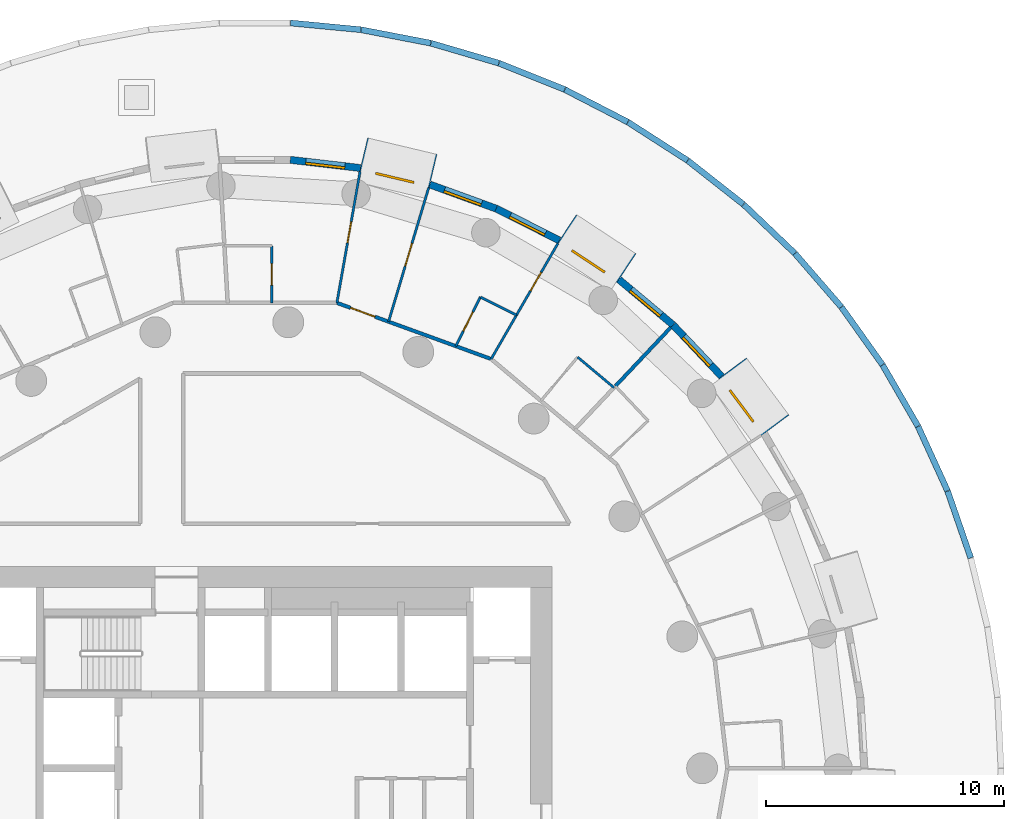
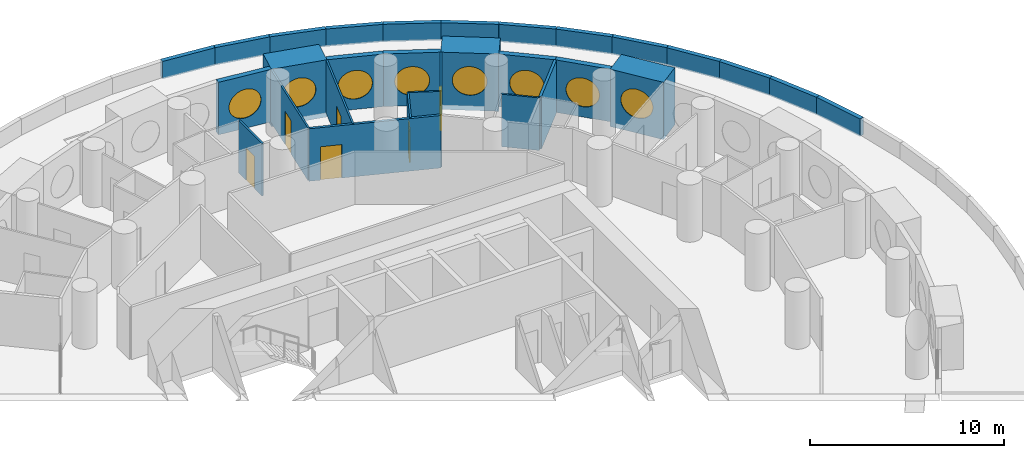
# One storey, part 9 of 13: 31 walls, 8 windows, 6 doors, 14 openings.
"""IFC4 building model written with IfcOpenShell, lengths in metres."""

from ifc_helpers import new_model, si_unit, direction, frame, frame_2d, origin, origin_2d, place, context, subcontext, project, spatial, rectangle, circle, extrude, material, layer, layer_set, type_object, element, fill, save


model = new_model("IFC4")

# Units and contexts
model_context = context("Model", 3, precision=1e-05, world=origin(), true_north=direction((0.0, 1.0)))
body_context = subcontext(model_context, "Body", "Model", "MODEL_VIEW")
ifc_project = project(units=[si_unit("LENGTHUNIT", "METRE"), si_unit("AREAUNIT", "SQUARE_METRE"), si_unit("VOLUMEUNIT", "CUBIC_METRE"), si_unit("PLANEANGLEUNIT", "RADIAN"), si_unit("MASSUNIT", "GRAM", prefix="KILO")], contexts=[model_context])

# Site, building, storey
site_placement = place(None, origin())
site = spatial("IfcSite", under=ifc_project, at=site_placement, CompositionType="ELEMENT")
building_placement = place(site_placement, origin())
building = spatial("IfcBuilding", under=site, at=building_placement, Name="Tracery Tower", CompositionType="ELEMENT")
storey_placement = place(building_placement, frame((0.0, 0.0, 126.0)))
storey = spatial("IfcBuildingStorey", under=building, at=storey_placement, Name="L31", CompositionType="ELEMENT", Elevation=126.0)

# Wall, opening, window
ifc_material_1 = material(Name="Precast concrete C50/60", Category="concrete")
ifc_layer_1 = layer(ifc_material_1, 1.449951171875)
ifc_layer_set_1 = layer_set([ifc_layer_1], Name="Deep-set bay unit 3000 x 3600, slab edge 300")
wall_type_1 = type_object("IfcWallType", Name="Deep-set bay unit 3000 x 3600, slab edge 300", PredefinedType="ELEMENTEDWALL", material=ifc_layer_set_1)
wall_1_placement = place(storey_placement, frame((21.89453125, 14.429931640625, -0.300048828125), z_axis=(0.0, 0.0, 1.0), x_axis=(-0.597183717734, 0.802104486506, 0.0)))
wall_1 = element("IfcWall", 1, at=wall_1_placement, inside=storey, type_object=wall_type_1, Name="Deep-set bay unit 6 at L31", PredefinedType="ELEMENTEDWALL", context=body_context, shape_type="SweptSolid", body=[
    extrude(rectangle(XDim=3.0, YDim=1.449951171875, at=frame_2d((1.5, 0.0))), origin(), (0.0, 0.0, 1.0), 3.60009765625),
])
opening_1_placement = place(wall_1_placement, frame((1.5, 0.0, 1.85009765625)))
opening_1 = element("IfcOpeningElement", 2, at=opening_1_placement, cuts=wall_1, Name="Opening WN1", PredefinedType="OPENING", context=body_context, shape_type="SweptSolid", body=[
    extrude(circle(Radius=0.9000244140625, at=origin_2d()), frame((0.0, 0.73486328125, 0.0), z_axis=(0.0, -1.0, 0.0), x_axis=(1.0, 0.0, 0.0)), (0.0, 0.0, 1.0), 1.469970703125),
])
ifc_material_2 = material(Name="Aluminium frame with tinted double glazing", Category="aluminium")
window_type = type_object("IfcWindowType", Name="Round window 1800", PartitioningType="SINGLE_PANEL", PredefinedType="WINDOW", material=ifc_material_2)
window_1_placement = place(opening_1_placement, origin())
window_1 = element("IfcWindow", 3, at=window_1_placement, inside=storey, type_object=window_type, Name="Round window 6 at L31", OverallHeight=1.800048828125, OverallWidth=1.800048828125, PartitioningType="SINGLE_PANEL", PredefinedType="WINDOW", context=body_context, shape_type="SweptSolid", body=[
    extrude(circle(Radius=0.9000244140625, at=origin_2d()), frame((0.0, 0.69482421875, 0.0), z_axis=(0.0, -1.0, 0.0), x_axis=(1.0, 0.0, 0.0)), (0.0, 0.0, 1.0), 0.10009765625),
])
fill(opening_1, window_1)

wall_2_placement = place(storey_placement, frame((15.638916015625, 21.048095703125, -0.300048828125), z_axis=(0.0, 0.0, 1.0), x_axis=(-0.835514416706, 0.549468524554, 0.0)))
wall_2 = element("IfcWall", 4, at=wall_2_placement, inside=storey, type_object=wall_type_1, Name="Deep-set bay unit 9 at L31", PredefinedType="ELEMENTEDWALL", context=body_context, shape_type="SweptSolid", body=[
    extrude(rectangle(XDim=3.0, YDim=1.449951171875, at=frame_2d((1.5, 0.0))), origin(), (0.0, 0.0, 1.0), 3.60009765625),
])
opening_2_placement = place(wall_2_placement, frame((1.5, 0.0, 1.85009765625)))
opening_2 = element("IfcOpeningElement", 5, at=opening_2_placement, cuts=wall_2, Name="Opening WN1", PredefinedType="OPENING", context=body_context, shape_type="SweptSolid", body=[
    extrude(circle(Radius=0.9000244140625, at=origin_2d()), frame((0.0, 0.73486328125, 0.0), z_axis=(0.0, -1.0, 0.0), x_axis=(1.0, 0.0, 0.0)), (0.0, 0.0, 1.0), 1.469970703125),
])
window_2_placement = place(opening_2_placement, origin())
window_2 = element("IfcWindow", 6, at=window_2_placement, inside=storey, type_object=window_type, Name="Round window 9 at L31", OverallHeight=1.800048828125, OverallWidth=1.800048828125, PartitioningType="SINGLE_PANEL", PredefinedType="WINDOW", context=body_context, shape_type="SweptSolid", body=[
    extrude(circle(Radius=0.9000244140625, at=origin_2d()), frame((0.0, 0.69482421875, 0.0), z_axis=(0.0, -1.0, 0.0), x_axis=(1.0, 0.0, 0.0)), (0.0, 0.0, 1.0), 0.10009765625),
])
fill(opening_2, window_2)

wall_3_placement = place(storey_placement, frame((7.496826171875, 25.12744140625, -0.300048828125), z_axis=(0.0, 0.0, 1.0), x_axis=(-0.973042333261, 0.23062657627, 0.0)))
wall_3 = element("IfcWall", 7, at=wall_3_placement, inside=storey, type_object=wall_type_1, Name="Deep-set bay unit 12 at L31", PredefinedType="ELEMENTEDWALL", context=body_context, shape_type="SweptSolid", body=[
    extrude(rectangle(XDim=3.0, YDim=1.449951171875, at=frame_2d((1.5, 0.0))), origin(), (0.0, 0.0, 1.0), 3.60009765625),
])
opening_3_placement = place(wall_3_placement, frame((1.5, 0.0, 1.85009765625)))
opening_3 = element("IfcOpeningElement", 8, at=opening_3_placement, cuts=wall_3, Name="Opening WN1", PredefinedType="OPENING", context=body_context, shape_type="SweptSolid", body=[
    extrude(circle(Radius=0.9000244140625, at=origin_2d()), frame((0.0, 0.73486328125, 0.0), z_axis=(0.0, -1.0, 0.0), x_axis=(1.0, 0.0, 0.0)), (0.0, 0.0, 1.0), 1.469970703125),
])
window_3_placement = place(opening_3_placement, origin())
window_3 = element("IfcWindow", 9, at=window_3_placement, inside=storey, type_object=window_type, Name="Round window 12 at L31", OverallHeight=1.800048828125, OverallWidth=1.800048828125, PartitioningType="SINGLE_PANEL", PredefinedType="WINDOW", context=body_context, shape_type="SweptSolid", body=[
    extrude(circle(Radius=0.9000244140625, at=origin_2d()), frame((0.0, 0.69482421875, 0.0), z_axis=(0.0, -1.0, 0.0), x_axis=(1.0, 0.0, 0.0)), (0.0, 0.0, 1.0), 0.10009765625),
])
fill(opening_3, window_3)

ifc_material_3 = material(Name="Precast concrete C50/60", Category="concrete")
ifc_layer_2 = layer(ifc_material_3, 0.300048828125)
ifc_layer_set_2 = layer_set([ifc_layer_2], Name="Facade panel 3000 x 3300")
wall_type_2 = type_object("IfcWallType", Name="Facade panel 3000 x 3300", PredefinedType="SOLIDWALL", material=ifc_layer_set_2)
wall_4_placement = place(storey_placement, frame((19.640380859375, 16.492919921875, 0.0), z_axis=(0.0, 0.0, 1.0), x_axis=(-0.686235184166, 0.727379730273, 0.0)))
wall_4 = element("IfcWall", 10, at=wall_4_placement, inside=storey, type_object=wall_type_2, Name="Facade panel 7 at L31", PredefinedType="SOLIDWALL", context=body_context, shape_type="SweptSolid", body=[
    extrude(rectangle(XDim=2.972900390625, YDim=0.300048828125, at=frame_2d((1.486328125, 0.0))), origin(), (0.0, 0.0, 1.0), 3.300048828125),
])
opening_4_placement = place(wall_4_placement, frame((1.486328125, 0.0, 1.5498046875)))
opening_4 = element("IfcOpeningElement", 11, at=opening_4_placement, cuts=wall_4, Name="Opening WN1", PredefinedType="OPENING", context=body_context, shape_type="SweptSolid", body=[
    extrude(circle(Radius=0.9000244140625, at=origin_2d()), frame((0.0, 0.159912109375, 0.0), z_axis=(0.0, -1.0, 0.0), x_axis=(1.0, 0.0, 0.0)), (0.0, 0.0, 1.0), 0.320068359375),
])
window_4_placement = place(opening_4_placement, origin())
window_4 = element("IfcWindow", 12, at=window_4_placement, inside=storey, type_object=window_type, Name="Round window 7 at L31", OverallHeight=1.800048828125, OverallWidth=1.800048828125, PartitioningType="SINGLE_PANEL", PredefinedType="WINDOW", context=body_context, shape_type="SweptSolid", body=[
    extrude(circle(Radius=0.9000244140625, at=origin_2d()), frame((0.0, 0.1201171875, 0.0), z_axis=(0.0, -1.0, 0.0), x_axis=(1.0, 0.0, 0.0)), (0.0, 0.0, 1.0), 0.10009765625),
])
fill(opening_4, window_4)

wall_5_placement = place(storey_placement, frame((17.600341796875, 18.6552734375, 0.0), z_axis=(0.0, 0.0, 1.0), x_axis=(-0.766049350637, 0.642781761089, 0.0)))
wall_5 = element("IfcWall", 13, at=wall_5_placement, inside=storey, type_object=wall_type_2, Name="Facade panel 8 at L31", PredefinedType="SOLIDWALL", context=body_context, shape_type="SweptSolid", body=[
    extrude(rectangle(XDim=2.972900390625, YDim=0.300048828125, at=frame_2d((1.486328125, 0.0))), origin(), (0.0, 0.0, 1.0), 3.300048828125),
])
opening_5_placement = place(wall_5_placement, frame((1.486328125, 0.0, 1.5498046875)))
opening_5 = element("IfcOpeningElement", 14, at=opening_5_placement, cuts=wall_5, Name="Opening WN1", PredefinedType="OPENING", context=body_context, shape_type="SweptSolid", body=[
    extrude(circle(Radius=0.9000244140625, at=origin_2d()), frame((0.0, 0.159912109375, 0.0), z_axis=(0.0, -1.0, 0.0), x_axis=(1.0, 0.0, 0.0)), (0.0, 0.0, 1.0), 0.320068359375),
])
window_5_placement = place(opening_5_placement, origin())
window_5 = element("IfcWindow", 15, at=window_5_placement, inside=storey, type_object=window_type, Name="Round window 8 at L31", OverallHeight=1.800048828125, OverallWidth=1.800048828125, PartitioningType="SINGLE_PANEL", PredefinedType="WINDOW", context=body_context, shape_type="SweptSolid", body=[
    extrude(circle(Radius=0.9000244140625, at=origin_2d()), frame((0.0, 0.1201171875, 0.0), z_axis=(0.0, -1.0, 0.0), x_axis=(1.0, 0.0, 0.0)), (0.0, 0.0, 1.0), 0.10009765625),
])
fill(opening_5, window_5)

wall_6_placement = place(storey_placement, frame((12.815185546875, 22.215576171875, 0.0), z_axis=(0.0, 0.0, 1.0), x_axis=(-0.893637442555, 0.448789618045, 0.0)))
wall_6 = element("IfcWall", 16, at=wall_6_placement, inside=storey, type_object=wall_type_2, Name="Facade panel 10 at L31", PredefinedType="SOLIDWALL", context=body_context, shape_type="SweptSolid", body=[
    extrude(rectangle(XDim=2.972900390625, YDim=0.300048828125, at=frame_2d((1.486328125, 0.0))), origin(), (0.0, 0.0, 1.0), 3.300048828125),
])
opening_6_placement = place(wall_6_placement, frame((1.486328125, 0.0, 1.5498046875)))
opening_6 = element("IfcOpeningElement", 17, at=opening_6_placement, cuts=wall_6, Name="Opening WN1", PredefinedType="OPENING", context=body_context, shape_type="SweptSolid", body=[
    extrude(circle(Radius=0.9000244140625, at=origin_2d()), frame((0.0, 0.159912109375, 0.0), z_axis=(0.0, -1.0, 0.0), x_axis=(1.0, 0.0, 0.0)), (0.0, 0.0, 1.0), 0.320068359375),
])
window_6_placement = place(opening_6_placement, origin())
window_6 = element("IfcWindow", 18, at=window_6_placement, inside=storey, type_object=window_type, Name="Round window 10 at L31", OverallHeight=1.800048828125, OverallWidth=1.800048828125, PartitioningType="SINGLE_PANEL", PredefinedType="WINDOW", context=body_context, shape_type="SweptSolid", body=[
    extrude(circle(Radius=0.9000244140625, at=origin_2d()), frame((0.0, 0.1201171875, 0.0), z_axis=(0.0, -1.0, 0.0), x_axis=(1.0, 0.0, 0.0)), (0.0, 0.0, 1.0), 0.10009765625),
])
fill(opening_6, window_6)

wall_7_placement = place(storey_placement, frame((10.158447265625, 23.5498046875, 0.0), z_axis=(0.0, 0.0, 1.0), x_axis=(-0.939690282133, 0.342026568652, 0.0)))
wall_7 = element("IfcWall", 19, at=wall_7_placement, inside=storey, type_object=wall_type_2, Name="Facade panel 11 at L31", PredefinedType="SOLIDWALL", context=body_context, shape_type="SweptSolid", body=[
    extrude(rectangle(XDim=2.972900390625, YDim=0.300048828125, at=frame_2d((1.486328125, 0.0))), origin(), (0.0, 0.0, 1.0), 3.300048828125),
])
opening_7_placement = place(wall_7_placement, frame((1.486328125, 0.0, 1.5498046875)))
opening_7 = element("IfcOpeningElement", 20, at=opening_7_placement, cuts=wall_7, Name="Opening WN1", PredefinedType="OPENING", context=body_context, shape_type="SweptSolid", body=[
    extrude(circle(Radius=0.9000244140625, at=origin_2d()), frame((0.0, 0.159912109375, 0.0), z_axis=(0.0, -1.0, 0.0), x_axis=(1.0, 0.0, 0.0)), (0.0, 0.0, 1.0), 0.320068359375),
])
window_7_placement = place(opening_7_placement, origin())
window_7 = element("IfcWindow", 21, at=window_7_placement, inside=storey, type_object=window_type, Name="Round window 11 at L31", OverallHeight=1.800048828125, OverallWidth=1.800048828125, PartitioningType="SINGLE_PANEL", PredefinedType="WINDOW", context=body_context, shape_type="SweptSolid", body=[
    extrude(circle(Radius=0.9000244140625, at=origin_2d()), frame((0.0, 0.1201171875, 0.0), z_axis=(0.0, -1.0, 0.0), x_axis=(1.0, 0.0, 0.0)), (0.0, 0.0, 1.0), 0.10009765625),
])
fill(opening_7, window_7)

wall_8_placement = place(storey_placement, frame((4.444091796875, 25.259033203125, 0.0), z_axis=(0.0, 0.0, 1.0), x_axis=(-0.993245010522, 0.1160359818, 0.0)))
wall_8 = element("IfcWall", 22, at=wall_8_placement, inside=storey, type_object=wall_type_2, Name="Facade panel 13 at L31", PredefinedType="SOLIDWALL", context=body_context, shape_type="SweptSolid", body=[
    extrude(rectangle(XDim=2.972900390625, YDim=0.300048828125, at=frame_2d((1.486328125, 0.0))), origin(), (0.0, 0.0, 1.0), 3.300048828125),
])
opening_8_placement = place(wall_8_placement, frame((1.486328125, 0.0, 1.5498046875)))
opening_8 = element("IfcOpeningElement", 23, at=opening_8_placement, cuts=wall_8, Name="Opening WN1", PredefinedType="OPENING", context=body_context, shape_type="SweptSolid", body=[
    extrude(circle(Radius=0.9000244140625, at=origin_2d()), frame((0.0, 0.159912109375, 0.0), z_axis=(0.0, -1.0, 0.0), x_axis=(1.0, 0.0, 0.0)), (0.0, 0.0, 1.0), 0.320068359375),
])
window_8_placement = place(opening_8_placement, origin())
window_8 = element("IfcWindow", 24, at=window_8_placement, inside=storey, type_object=window_type, Name="Round window 13 at L31", OverallHeight=1.800048828125, OverallWidth=1.800048828125, PartitioningType="SINGLE_PANEL", PredefinedType="WINDOW", context=body_context, shape_type="SweptSolid", body=[
    extrude(circle(Radius=0.9000244140625, at=origin_2d()), frame((0.0, 0.1201171875, 0.0), z_axis=(0.0, -1.0, 0.0), x_axis=(1.0, 0.0, 0.0)), (0.0, 0.0, 1.0), 0.10009765625),
])
fill(opening_8, window_8)

# Wall, opening, door
ifc_material_4 = material(Name="Plasterboard on steel studs", Category="steel")
ifc_layer_3 = layer(ifc_material_4, 0.10009765625)
ifc_layer_set_3 = layer_set([ifc_layer_3], Name="Partition 100 stud")
wall_type_3 = type_object("IfcWallType", Name="Partition 100 stud", PredefinedType="PARTITIONING", material=ifc_layer_set_3)
wall_9_placement = place(storey_placement, frame((5.626953125, 18.794921875, 0.0), z_axis=(0.0, 0.0, 1.0), x_axis=(0.286833432865, 0.957980470464, 0.0)))
wall_9 = element("IfcWall", 25, at=wall_9_placement, inside=storey, type_object=wall_type_3, Name="Stud partition RB1-053", PredefinedType="PARTITIONING", context=body_context, shape_type="SweptSolid", body=[
    extrude(rectangle(XDim=5.878173828125, YDim=0.10009765625, at=frame_2d((2.93896484375, 0.0))), origin(), (0.0, 0.0, 1.0), 3.300048828125),
])
opening_9_placement = place(wall_9_placement, frame((2.43896484375, 0.0, 0.0)))
opening_9 = element("IfcOpeningElement", 26, at=opening_9_placement, cuts=wall_9, Name="Opening RB1-13", PredefinedType="OPENING", context=body_context, shape_type="SweptSolid", body=[
    extrude(rectangle(XDim=1.0, YDim=2.0400390625, at=frame_2d((0.5, 1.02001953125))), frame((0.0, 0.050048828125, 0.0), z_axis=(0.0, -1.0, 0.0), x_axis=(1.0, 0.0, 0.0)), (0.0, 0.0, 1.0), 0.10009765625),
])
ifc_material_5 = material(Name="Timber door leaf", Category="wood")
door_type_1 = type_object("IfcDoorType", Name="Door communal room 1000", OperationType="NOTDEFINED", PredefinedType="DOOR", material=ifc_material_5)
door_1_placement = place(opening_9_placement, origin())
door_1 = element("IfcDoor", 27, at=door_1_placement, inside=storey, type_object=door_type_1, Name="Communal room door RB1-13", OperationType="SINGLE_SWING_RIGHT", OverallHeight=2.0400390625, OverallWidth=1.0, PredefinedType="DOOR", context=body_context, shape_type="SweptSolid", body=[
    extrude(rectangle(XDim=1.0, YDim=2.0400390625, at=frame_2d((0.5, 1.02001953125))), frame((0.0, 0.02490234375, 0.0), z_axis=(0.0, -1.0, 0.0), x_axis=(1.0, 0.0, 0.0)), (0.0, 0.0, 1.0), 0.050048828125),
])
fill(opening_9, door_1)

wall_10_placement = place(storey_placement, frame((11.009033203125, 19.068115234375, 0.0), z_axis=(0.0, 0.0, 1.0), x_axis=(0.500101058546, 0.865967049743, 0.0)))
wall_10 = element("IfcWall", 28, at=wall_10_placement, inside=storey, type_object=wall_type_3, Name="Stud partition RB1-056", PredefinedType="PARTITIONING", context=body_context, shape_type="SweptSolid", body=[
    extrude(rectangle(XDim=3.479248046875, YDim=0.10009765625, at=frame_2d((1.73974609375, 0.0))), origin(), (0.0, 0.0, 1.0), 3.300048828125),
])
opening_10_placement = place(wall_10_placement, frame((1.180419921875, 0.0, 0.0)))
opening_10 = element("IfcOpeningElement", 29, at=opening_10_placement, cuts=wall_10, Name="Opening RB1-15", PredefinedType="OPENING", context=body_context, shape_type="SweptSolid", body=[
    extrude(rectangle(XDim=0.89990234375, YDim=2.10009765625, at=frame_2d((0.449951171875, 1.050048828125))), frame((0.0, 0.050048828125, 0.0), z_axis=(0.0, -1.0, 0.0), x_axis=(1.0, 0.0, 0.0)), (0.0, 0.0, 1.0), 0.10009765625),
])
ifc_material_6 = material(Name="Timber door leaf", Category="wood")
door_type_2 = type_object("IfcDoorType", Name="Door bedroom 900", OperationType="NOTDEFINED", PredefinedType="DOOR", material=ifc_material_6)
door_2_placement = place(opening_10_placement, origin())
door_2 = element("IfcDoor", 30, at=door_2_placement, inside=storey, type_object=door_type_2, Name="Bedroom door RB1-15", OperationType="SINGLE_SWING_RIGHT", OverallHeight=2.10009765625, OverallWidth=0.89990234375, PredefinedType="DOOR", context=body_context, shape_type="SweptSolid", body=[
    extrude(rectangle(XDim=0.89990234375, YDim=2.10009765625, at=frame_2d((0.449951171875, 1.050048828125))), frame((0.0, 0.02490234375, 0.0), z_axis=(0.0, -1.0, 0.0), x_axis=(1.0, 0.0, 0.0)), (0.0, 0.0, 1.0), 0.050048828125),
])
fill(opening_10, door_2)

wall_11_placement = place(storey_placement, frame((3.452880859375, 19.5859375, 0.0), z_axis=(0.0, 0.0, 1.0), x_axis=(0.17382754149, 0.984776109489, 0.0)))
wall_11 = element("IfcWall", 31, at=wall_11_placement, inside=storey, type_object=wall_type_3, Name="Stud partition RB1-057", PredefinedType="PARTITIONING", context=body_context, shape_type="SweptSolid", body=[
    extrude(rectangle(XDim=5.609619140625, YDim=0.10009765625, at=frame_2d((2.8046875, 0.0))), origin(), (0.0, 0.0, 1.0), 3.300048828125),
])
opening_11_placement = place(wall_11_placement, frame((2.570068359375, 0.0, 0.0)))
opening_11 = element("IfcOpeningElement", 32, at=opening_11_placement, cuts=wall_11, Name="Opening RB1-17", PredefinedType="OPENING", context=body_context, shape_type="SweptSolid", body=[
    extrude(rectangle(XDim=0.89990234375, YDim=2.10009765625, at=frame_2d((0.449951171875, 1.050048828125))), frame((0.0, 0.050048828125, 0.0), z_axis=(0.0, -1.0, 0.0), x_axis=(1.0, 0.0, 0.0)), (0.0, 0.0, 1.0), 0.10009765625),
])
door_3_placement = place(opening_11_placement, origin())
door_3 = element("IfcDoor", 33, at=door_3_placement, inside=storey, type_object=door_type_2, Name="Bedroom door RB1-17", OperationType="SINGLE_SWING_RIGHT", OverallHeight=2.10009765625, OverallWidth=0.89990234375, PredefinedType="DOOR", context=body_context, shape_type="SweptSolid", body=[
    extrude(rectangle(XDim=0.89990234375, YDim=2.10009765625, at=frame_2d((0.449951171875, 1.050048828125))), frame((0.0, 0.02490234375, 0.0), z_axis=(0.0, -1.0, 0.0), x_axis=(1.0, 0.0, 0.0)), (0.0, 0.0, 1.0), 0.050048828125),
])
fill(opening_11, door_3)

# Wall
ifc_material_7 = material(Name="Plasterboard on steel studs", Category="steel")
ifc_layer_4 = layer(ifc_material_7, 0.10009765625)
ifc_layer_set_4 = layer_set([ifc_layer_4], Name="Partition 100 wet wall")
wall_type_4 = type_object("IfcWallType", Name="Partition 100 wet wall", PredefinedType="PARTITIONING", material=ifc_layer_set_4)
wall_12_placement = place(storey_placement, frame((9.491943359375, 19.830078125, 0.0), z_axis=(0.0, 0.0, 1.0), x_axis=(0.893620418257, -0.44882351551, 0.0)))
element("IfcWall", 34, at=wall_12_placement, inside=storey, type_object=wall_type_4, Name="Wet wall RB1-054", PredefinedType="PARTITIONING", context=body_context, shape_type="SweptSolid", body=[
    extrude(rectangle(XDim=1.69775390625, YDim=0.10009765625, at=frame_2d((0.848876953125, 0.0))), origin(), (0.0, 0.0, 1.0), 3.300048828125),
])

# Wall, opening, door
wall_13_placement = place(storey_placement, frame((8.455078125, 17.764892578125, 0.0), z_axis=(0.0, 0.0, 1.0), x_axis=(0.448692072555, 0.893686423768, 0.0)))
wall_13 = element("IfcWall", 35, at=wall_13_placement, inside=storey, type_object=wall_type_4, Name="Wet wall RB1-055", PredefinedType="PARTITIONING", context=body_context, shape_type="SweptSolid", body=[
    extrude(rectangle(XDim=2.310791015625, YDim=0.10009765625, at=frame_2d((1.1552734375, 0.0))), origin(), (0.0, 0.0, 1.0), 3.300048828125),
])
opening_12_placement = place(wall_13_placement, frame((0.705810546875, 0.0, 0.0)))
opening_12 = element("IfcOpeningElement", 36, at=opening_12_placement, cuts=wall_13, Name="Opening RB1-14", PredefinedType="OPENING", context=body_context, shape_type="SweptSolid", body=[
    extrude(rectangle(XDim=0.89990234375, YDim=2.0, at=frame_2d((0.449951171875, 1.0))), frame((0.0, 0.050048828125, 0.0), z_axis=(0.0, -1.0, 0.0), x_axis=(1.0, 0.0, 0.0)), (0.0, 0.0, 1.0), 0.10009765625),
])
ifc_material_8 = material(Name="Timber door leaf", Category="wood")
door_type_3 = type_object("IfcDoorType", Name="Door shower room 900", OperationType="NOTDEFINED", PredefinedType="DOOR", material=ifc_material_8)
door_4_placement = place(opening_12_placement, origin())
door_4 = element("IfcDoor", 37, at=door_4_placement, inside=storey, type_object=door_type_3, Name="Shower room door RB1-14", OperationType="SINGLE_SWING_LEFT", OverallHeight=2.0, OverallWidth=0.89990234375, PredefinedType="DOOR", context=body_context, shape_type="SweptSolid", body=[
    extrude(rectangle(XDim=0.89990234375, YDim=2.0, at=frame_2d((0.449951171875, 1.0))), frame((0.0, 0.02490234375, 0.0), z_axis=(0.0, -1.0, 0.0), x_axis=(1.0, 0.0, 0.0)), (0.0, 0.0, 1.0), 0.050048828125),
])
fill(opening_12, door_4)

# Walls
wall_14_placement = place(storey_placement, frame((9.944091796875, 17.222900390625, 0.0), z_axis=(0.0, 0.0, 1.0), x_axis=(0.499861334108, 0.866105447774, 0.0)))
element("IfcWall", 38, at=wall_14_placement, inside=storey, type_object=wall_type_4, Name="Wet wall RB1-058", PredefinedType="PARTITIONING", context=body_context, shape_type="SweptSolid", body=[
    extrude(rectangle(XDim=2.13037109375, YDim=0.10009765625, at=frame_2d((1.065185546875, 0.0))), origin(), (0.0, 0.0, 1.0), 3.300048828125),
])
wall_15_placement = place(storey_placement, frame((13.58203125, 17.302978515625, 0.0), z_axis=(0.0, 0.0, 1.0), x_axis=(0.766224532916, -0.642572925945, 0.0)))
element("IfcWall", 39, at=wall_15_placement, inside=storey, type_object=wall_type_4, Name="Wet wall RB1-059", PredefinedType="PARTITIONING", context=body_context, shape_type="SweptSolid", body=[
    extrude(rectangle(XDim=1.998046875, YDim=0.10009765625, at=frame_2d((0.9990234375, 0.0))), origin(), (0.0, 0.0, 1.0), 3.300048828125),
])

# Wall, opening, door
wall_16_placement = place(storey_placement, frame((0.717041015625, 19.5859375, 0.0), z_axis=(0.0, 0.0, 1.0), x_axis=(0.0, 1.0, 0.0)))
wall_16 = element("IfcWall", 40, at=wall_16_placement, inside=storey, type_object=wall_type_4, Name="Wet wall RB1-061", PredefinedType="PARTITIONING", context=body_context, shape_type="SweptSolid", body=[
    extrude(rectangle(XDim=2.400146484375, YDim=0.10009765625, at=frame_2d((1.2001953125, 0.0))), origin(), (0.0, 0.0, 1.0), 3.300048828125),
])
opening_13_placement = place(wall_16_placement, frame((0.75, 0.0, 0.0)))
opening_13 = element("IfcOpeningElement", 41, at=opening_13_placement, cuts=wall_16, Name="Opening RB1-18", PredefinedType="OPENING", context=body_context, shape_type="SweptSolid", body=[
    extrude(rectangle(XDim=0.89990234375, YDim=2.0400390625, at=frame_2d((0.449951171875, 1.02001953125))), frame((0.0, 0.050048828125, 0.0), z_axis=(0.0, -1.0, 0.0), x_axis=(1.0, 0.0, 0.0)), (0.0, 0.0, 1.0), 0.10009765625),
])
ifc_material_9 = material(Name="Timber door leaf", Category="wood")
door_type_4 = type_object("IfcDoorType", Name="Door en-suite 900", OperationType="NOTDEFINED", PredefinedType="DOOR", material=ifc_material_9)
door_5_placement = place(opening_13_placement, origin())
door_5 = element("IfcDoor", 42, at=door_5_placement, inside=storey, type_object=door_type_4, Name="En-suite door RB1-18", OperationType="SINGLE_SWING_LEFT", OverallHeight=2.0400390625, OverallWidth=0.89990234375, PredefinedType="DOOR", context=body_context, shape_type="SweptSolid", body=[
    extrude(rectangle(XDim=0.89990234375, YDim=2.0400390625, at=frame_2d((0.449951171875, 1.02001953125))), frame((0.0, 0.02490234375, 0.0), z_axis=(0.0, -1.0, 0.0), x_axis=(1.0, 0.0, 0.0)), (0.0, 0.0, 1.0), 0.050048828125),
])
fill(opening_13, door_5)

# Wall
ifc_material_10 = material(Name="Plasterboard on steel studs", Category="steel")
ifc_layer_5 = layer(ifc_material_10, 0.14990234375)
ifc_layer_set_5 = layer_set([ifc_layer_5], Name="Partition 150 acoustic unit wall")
wall_type_5 = type_object("IfcWallType", Name="Partition 150 acoustic unit wall", PredefinedType="PARTITIONING", material=ifc_layer_set_5)
wall_17_placement = place(storey_placement, frame((15.174072265625, 16.0830078125, 0.0), z_axis=(0.0, 0.0, 1.0), x_axis=(0.686144834043, 0.727464959099, 0.0)))
element("IfcWall", 43, at=wall_17_placement, inside=storey, type_object=wall_type_5, Name="Unit wall RB1-051", PredefinedType="PARTITIONING", context=body_context, shape_type="SweptSolid", body=[
    extrude(rectangle(XDim=3.385498046875, YDim=0.14990234375, at=frame_2d((1.69287109375, 0.0))), origin(), (0.0, 0.0, 1.0), 3.300048828125),
])

# Wall, opening, door
ifc_material_11 = material(Name="Plasterboard on steel studs", Category="steel")
ifc_layer_6 = layer(ifc_material_11, 0.14990234375)
ifc_layer_set_6 = layer_set([ifc_layer_6], Name="Partition 150 corridor wall")
wall_type_6 = type_object("IfcWallType", Name="Partition 150 corridor wall", PredefinedType="PARTITIONING", material=ifc_layer_set_6)
wall_18_placement = place(storey_placement, frame((3.452880859375, 19.585693359375, 0.0), z_axis=(0.0, 0.0, 1.0), x_axis=(0.939706711967, -0.341981425643, 0.0)))
wall_18 = element("IfcWall", 44, at=wall_18_placement, inside=storey, type_object=wall_type_6, Name="Corridor wall RB1-018", PredefinedType="PARTITIONING", context=body_context, shape_type="SweptSolid", body=[
    extrude(rectangle(XDim=6.90771484375, YDim=0.14990234375, at=frame_2d((3.453857421875, 0.0))), origin(), (0.0, 0.0, 1.0), 3.300048828125),
])
opening_14_placement = place(wall_18_placement, frame((0.60791015625, 0.0, 0.0)))
opening_14 = element("IfcOpeningElement", 45, at=opening_14_placement, cuts=wall_18, Name="Opening RB1-12", PredefinedType="OPENING", context=body_context, shape_type="SweptSolid", body=[
    extrude(rectangle(XDim=1.10009765625, YDim=2.10009765625, at=frame_2d((0.550048828125, 1.050048828125))), frame((0.0, 0.074951171875, 0.0), z_axis=(0.0, -1.0, 0.0), x_axis=(1.0, 0.0, 0.0)), (0.0, 0.0, 1.0), 0.14990234375),
])
ifc_material_12 = material(Name="Timber door leaf", Category="wood")
door_type_5 = type_object("IfcDoorType", Name="Door cluster entrance 1100", OperationType="NOTDEFINED", PredefinedType="DOOR", material=ifc_material_12)
door_6_placement = place(opening_14_placement, origin())
door_6 = element("IfcDoor", 46, at=door_6_placement, inside=storey, type_object=door_type_5, Name="Cluster entrance door RB1-12", OperationType="SINGLE_SWING_LEFT", OverallHeight=2.10009765625, OverallWidth=1.10009765625, PredefinedType="DOOR", context=body_context, shape_type="SweptSolid", body=[
    extrude(rectangle(XDim=1.10009765625, YDim=2.10009765625, at=frame_2d((0.550048828125, 1.050048828125))), frame((0.0, 0.02490234375, 0.0), z_axis=(0.0, -1.0, 0.0), x_axis=(1.0, 0.0, 0.0)), (0.0, 0.0, 1.0), 0.050048828125),
])
fill(opening_14, door_6)

# Walls
ifc_material_13 = material(Name="Precast concrete C50/60", Category="concrete")
ifc_layer_7 = layer(ifc_material_13, 0.25)
ifc_layer_set_7 = layer_set([ifc_layer_7], Name="Terrace parapet 250")
wall_type_7 = type_object("IfcWallType", Name="Terrace parapet 250", PredefinedType="PARAPET", material=ifc_layer_set_7)
for number, where, z_axis, x_axis, name in (
    (47, (30.125244140625, 8.852783203125, 0.0), (0.0, 0.0, 1.0), (-0.327042896484, 0.945009494058, 0.0), "Terrace parapet L31 4"),
    (48, (29.1474609375, 11.67626953125, 0.0), (0.0, 0.0, 1.0), (-0.415447402248, 0.909617202985, 0.0), "Terrace parapet L31 5"),
    (49, (27.905517578125, 14.39404296875, 0.0), (0.0, 0.0, 1.0), (-0.499997208602, 0.866027015393, 0.0), "Terrace parapet L31 6"),
):
    element("IfcWall", number, at=place(storey_placement, frame(where, z_axis=z_axis, x_axis=x_axis)), inside=storey, type_object=wall_type_7, Name=name, PredefinedType="PARAPET", context=body_context, shape_type="SweptSolid", body=[
        extrude(rectangle(XDim=2.97412109375, YDim=0.25, at=frame_2d((1.487060546875, 0.0))), origin(), (0.0, 0.0, 1.0), 1.10009765625),
    ])
wall_19_placement = place(storey_placement, frame((26.410888671875, 16.9814453125, 0.0), z_axis=(0.0, 0.0, 1.0), x_axis=(-0.580010699198, 0.814608856332, 0.0)))
element("IfcWall", 50, at=wall_19_placement, inside=storey, type_object=wall_type_7, Name="Terrace parapet L31 7", PredefinedType="PARAPET", context=body_context, shape_type="SweptSolid", body=[
    extrude(rectangle(XDim=2.974365234375, YDim=0.25, at=frame_2d((1.4873046875, 0.0))), origin(), (0.0, 0.0, 1.0), 1.10009765625),
])
for number, where, z_axis, x_axis, name in (
    (51, (24.677001953125, 19.4150390625, 0.0), (0.0, 0.0, 1.0), (-0.654818024412, 0.755786580263, 0.0), "Terrace parapet L31 8"),
    (52, (22.7197265625, 21.6728515625, 0.0), (0.0, 0.0, 1.0), (-0.723694638812, 0.69012032991, 0.0), "Terrace parapet L31 9"),
):
    element("IfcWall", number, at=place(storey_placement, frame(where, z_axis=z_axis, x_axis=x_axis)), inside=storey, type_object=wall_type_7, Name=name, PredefinedType="PARAPET", context=body_context, shape_type="SweptSolid", body=[
        extrude(rectangle(XDim=2.97412109375, YDim=0.25, at=frame_2d((1.487060546875, 0.0))), origin(), (0.0, 0.0, 1.0), 1.10009765625),
    ])
wall_20_placement = place(storey_placement, frame((20.556884765625, 23.734375, 0.0), z_axis=(0.0, 0.0, 1.0), x_axis=(-0.786039120206, 0.618176755876, 0.0)))
element("IfcWall", 53, at=wall_20_placement, inside=storey, type_object=wall_type_7, Name="Terrace parapet L31 10", PredefinedType="PARAPET", context=body_context, shape_type="SweptSolid", body=[
    extrude(rectangle(XDim=2.974365234375, YDim=0.25, at=frame_2d((1.4873046875, 0.0))), origin(), (0.0, 0.0, 1.0), 1.10009765625),
])
wall_21_placement = place(storey_placement, frame((18.20751953125, 25.5810546875, 0.0), z_axis=(0.0, 0.0, 1.0), x_axis=(-0.841253148051, 0.540641416185, 0.0)))
element("IfcWall", 54, at=wall_21_placement, inside=storey, type_object=wall_type_7, Name="Terrace parapet L31 11", PredefinedType="PARAPET", context=body_context, shape_type="SweptSolid", body=[
    extrude(rectangle(XDim=2.97412109375, YDim=0.25, at=frame_2d((1.487060546875, 0.0))), origin(), (0.0, 0.0, 1.0), 1.10009765625),
])
for number, where, z_axis, x_axis, name in (
    (55, (15.693603515625, 27.19580078125, 0.0), (0.0, 0.0, 1.0), (-0.888809436449, 0.458276974852, 0.0), "Terrace parapet L31 12"),
    (56, (13.037353515625, 28.564453125, 0.0), (0.0, 0.0, 1.0), (-0.928363429238, 0.371673705357, 0.0), "Terrace parapet L31 13"),
):
    element("IfcWall", number, at=place(storey_placement, frame(where, z_axis=z_axis, x_axis=x_axis)), inside=storey, type_object=wall_type_7, Name=name, PredefinedType="PARAPET", context=body_context, shape_type="SweptSolid", body=[
        extrude(rectangle(XDim=2.974365234375, YDim=0.25, at=frame_2d((1.4873046875, 0.0))), origin(), (0.0, 0.0, 1.0), 1.10009765625),
    ])
wall_22_placement = place(storey_placement, frame((10.26318359375, 29.674560546875, 0.0), z_axis=(0.0, 0.0, 1.0), x_axis=(-0.959497413058, 0.281717437045, 0.0)))
element("IfcWall", 57, at=wall_22_placement, inside=storey, type_object=wall_type_7, Name="Terrace parapet L31 14", PredefinedType="PARAPET", context=body_context, shape_type="SweptSolid", body=[
    extrude(rectangle(XDim=2.97412109375, YDim=0.25, at=frame_2d((1.487060546875, 0.0))), origin(), (0.0, 0.0, 1.0), 1.10009765625),
])
wall_23_placement = place(storey_placement, frame((7.39599609375, 30.515625, 0.0), z_axis=(0.0, 0.0, 1.0), x_axis=(-0.98192380474, 0.189276627412, 0.0)))
element("IfcWall", 58, at=wall_23_placement, inside=storey, type_object=wall_type_7, Name="Terrace parapet L31 15", PredefinedType="PARAPET", context=body_context, shape_type="SweptSolid", body=[
    extrude(rectangle(XDim=2.974365234375, YDim=0.25, at=frame_2d((1.4873046875, 0.0))), origin(), (0.0, 0.0, 1.0), 1.10009765625),
])
wall_24_placement = place(storey_placement, frame((4.461669921875, 31.08056640625, 0.0), z_axis=(0.0, 0.0, 1.0), x_axis=(-0.995471830115, 0.095057011567, 0.0)))
element("IfcWall", 59, at=wall_24_placement, inside=storey, type_object=wall_type_7, Name="Terrace parapet L31 16", PredefinedType="PARAPET", context=body_context, shape_type="SweptSolid", body=[
    extrude(rectangle(XDim=2.97412109375, YDim=0.25, at=frame_2d((1.487060546875, 0.0))), origin(), (0.0, 0.0, 1.0), 1.10009765625),
])

save(model, "model.ifc")
